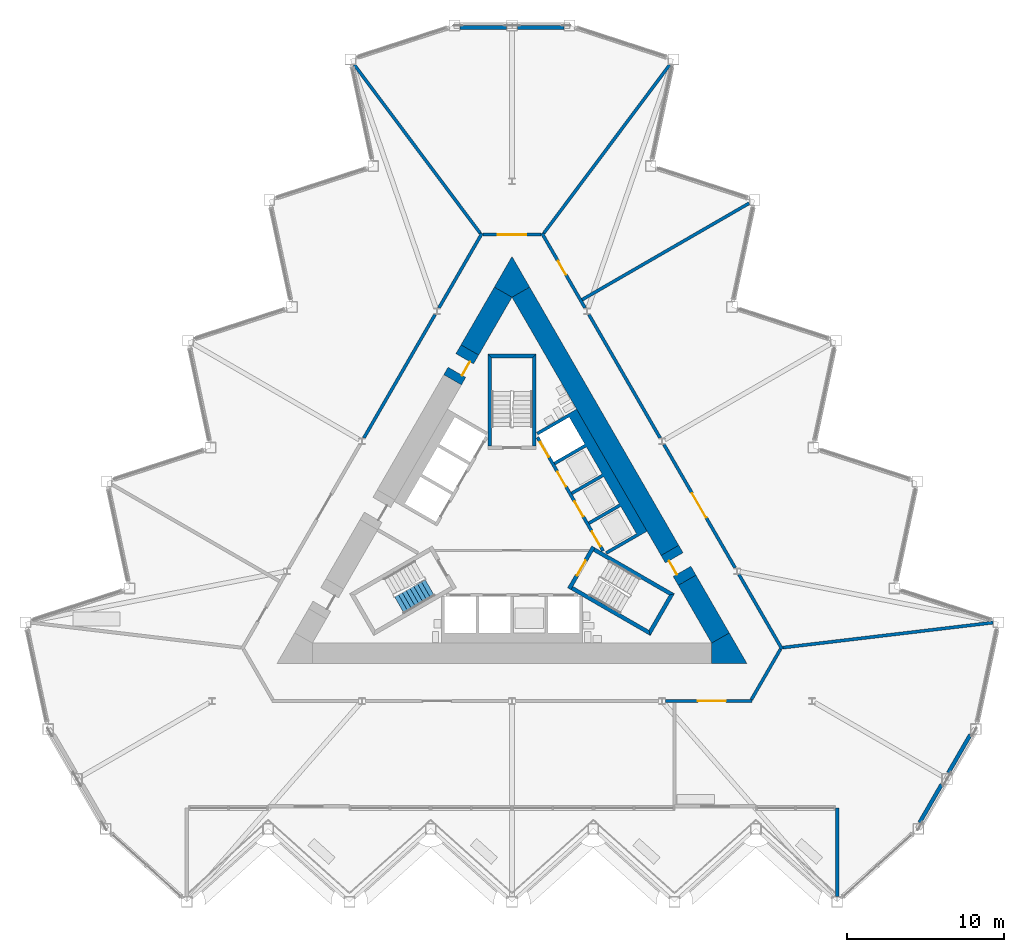
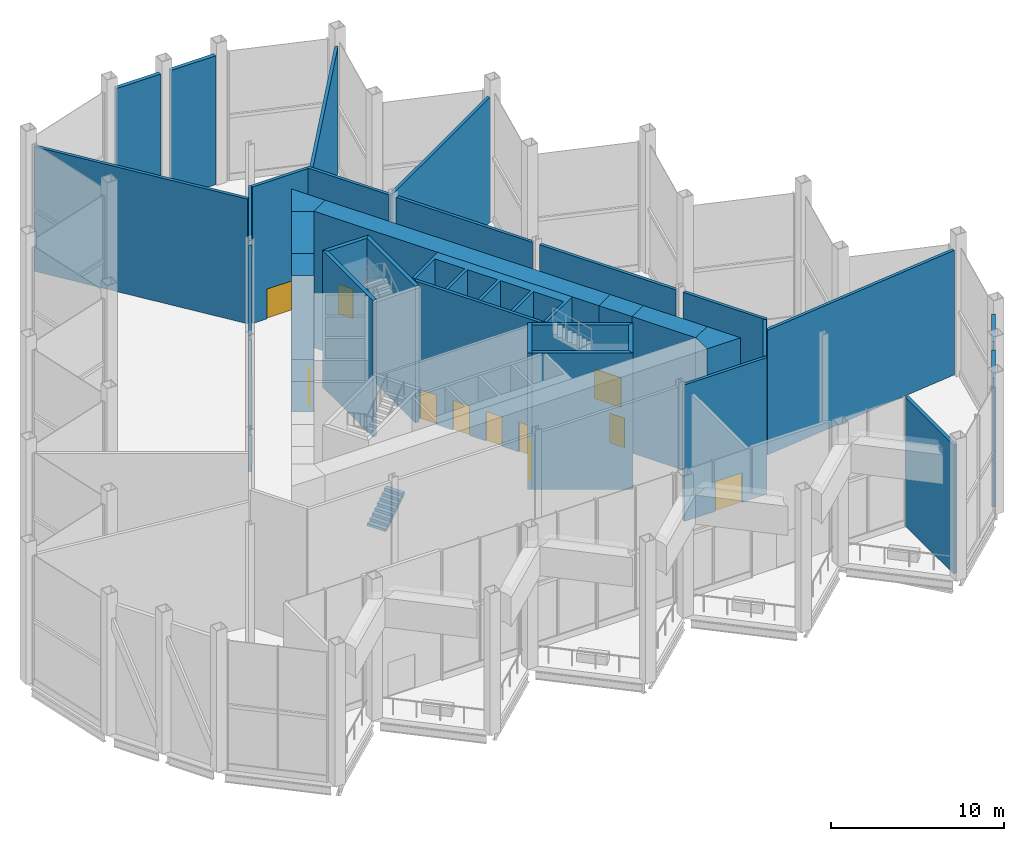
# One storey, part 10 of 17: 34 walls, 11 doors, 1 stair flight, 11 openings, 1 element without a shape of its own.
"""IFC4 building model written with IfcOpenShell, lengths in metres."""

from ifc_helpers import new_model, si_unit, direction, frame, frame_2d, origin, place, context, subcontext, project, spatial, polyline, rectangle, outline, extrude, material, layer, layer_set, type_object, element, fill, aggregate, save


model = new_model("IFC4")

# Units and contexts
model_context = context("Model", 3, precision=1e-05, world=origin(), true_north=direction((0.0, 1.0)))
body_context = subcontext(model_context, "Body", "Model", "MODEL_VIEW")
ifc_project = project(units=[si_unit("LENGTHUNIT", "METRE"), si_unit("AREAUNIT", "SQUARE_METRE"), si_unit("VOLUMEUNIT", "CUBIC_METRE"), si_unit("PLANEANGLEUNIT", "RADIAN"), si_unit("MASSUNIT", "GRAM", prefix="KILO")], contexts=[model_context])

# Site, building, storey
site_placement = place(None, origin())
site = spatial("IfcSite", under=ifc_project, at=site_placement, CompositionType="ELEMENT")
building_placement = place(site_placement, origin())
building = spatial("IfcBuilding", under=site, at=building_placement, Name="Cormorant Prow Tower", CompositionType="ELEMENT")
storey_placement = place(building_placement, frame((0.0, 0.0, 277.800048828125)))
storey = spatial("IfcBuildingStorey", under=building, at=storey_placement, Name="L63", CompositionType="ELEMENT", Elevation=277.800048828125)

# Walls
ifc_material_1 = material(Name="Concrete 8000 psi", Category="concrete")
ifc_layer_1 = layer(ifc_material_1, 1.300048828125)
ifc_layer_set_1 = layer_set([ifc_layer_1], Name="Concrete 8000 psi")
wall_type_1 = type_object("IfcWallType", Name="Core shear wall 1300", PredefinedType="SHEAR", material=ifc_layer_set_1)
wall_1_placement = place(storey_placement, frame((10.081298828125, -1.440673828125, 0.0), z_axis=(0.0, 0.0, 1.0), x_axis=(-0.500002581376, 0.866023913421, 0.0)))
element("IfcWall", 1, at=wall_1_placement, inside=storey, type_object=wall_type_1, Name="Core wall", PredefinedType="SHEAR", context=body_context, shape_type="SweptSolid", body=[
    extrude(rectangle(XDim=19.03662109375, YDim=1.300048828125, at=frame_2d((9.518310546875, 0.0))), origin(), (0.0, 0.0, 1.0), 9.64990234375),
])
wall_2_placement = place(storey_placement, frame((13.311279296875, -7.035400390625, 0.0), z_axis=(0.0, 0.0, 1.0), x_axis=(-0.500003555838, 0.866023350811, 0.0)))
element("IfcWall", 2, at=wall_2_placement, inside=storey, type_object=wall_type_1, Name="Core wall", PredefinedType="SHEAR", context=body_context, shape_type="SweptSolid", body=[
    extrude(rectangle(XDim=4.26025390625, YDim=1.300048828125, at=frame_2d((2.130126953125, 0.0))), origin(), (0.0, 0.0, 1.0), 9.64990234375),
])
wall_3_placement = place(storey_placement, frame((-0.56298828125, 15.04541015625, 0.0), z_axis=(0.0, 0.0, 1.0), x_axis=(-0.50002837164, -0.866009022791, 0.0)))
element("IfcWall", 3, at=wall_3_placement, inside=storey, type_object=wall_type_1, Name="Core wall", PredefinedType="SHEAR", context=body_context, shape_type="SweptSolid", body=[
    extrude(rectangle(XDim=4.260009765625, YDim=1.300048828125, at=frame_2d((2.1298828125, 0.0))), origin(), (0.0, 0.0, 1.0), 9.64990234375),
])
wall_4_placement = place(storey_placement, origin())
element("IfcWall", 4, at=wall_4_placement, inside=storey, type_object=wall_type_1, Name="Core wall corner", PredefinedType="SHEAR", context=body_context, shape_type="SweptSolid", body=[
    extrude(outline(polyline([(12.748291015625, -8.660400390625), (12.748291015625, -7.3603515625), (13.874267578125, -6.710205078125), (15.0, -8.660400390625), (12.748291015625, -8.660400390625)])), origin(), (0.0, 0.0, 1.0), 9.64990234375),
])
wall_5_placement = place(storey_placement, origin())
element("IfcWall", 5, at=wall_5_placement, inside=storey, type_object=wall_type_1, Name="Core wall corner", PredefinedType="SHEAR", context=body_context, shape_type="SweptSolid", body=[
    extrude(outline(polyline([(-1.125732421875, 15.37060546875), (0.0, 17.320556640625), (1.125732421875, 15.37060546875), (0.0, 14.720458984375), (-1.125732421875, 15.37060546875)])), origin(), (0.0, 0.0, 1.0), 9.64990234375),
])

# Wall, opening, door
wall_6_placement = place(storey_placement, frame((11.18115234375, -3.345947265625, 0.0), z_axis=(0.0, 0.0, 1.0), x_axis=(-0.499946605688, 0.86605622881, 0.0)))
wall_6 = element("IfcWall", 6, at=wall_6_placement, inside=storey, type_object=wall_type_1, Name="Core wall door panel", PredefinedType="SHEAR", context=body_context, shape_type="SweptSolid", body=[
    extrude(rectangle(XDim=2.199951171875, YDim=1.300048828125, at=frame_2d((1.10009765625, 0.0))), origin(), (0.0, 0.0, 1.0), 9.64990234375),
])
opening_1_placement = place(wall_6_placement, frame((0.64990234375, 0.0, 0.0)))
opening_1 = element("IfcOpeningElement", 7, at=opening_1_placement, cuts=wall_6, Name="Opening L63-C17", PredefinedType="OPENING", context=body_context, shape_type="SweptSolid", body=[
    extrude(rectangle(XDim=1.0, YDim=2.10009765625, at=frame_2d((0.5, 1.050048828125))), frame((0.0, 0.659912109375, 0.0), z_axis=(0.0, -1.0, 0.0), x_axis=(1.0, 0.0, 0.0)), (0.0, 0.0, 1.0), 1.320068359375),
])
ifc_material_2 = material(Name="Painted steel", Category="steel")
door_type_1 = type_object("IfcDoorType", Name="Service door 1000x2100", OperationType="NOTDEFINED", PredefinedType="DOOR", material=ifc_material_2)
door_1_placement = place(opening_1_placement, origin())
door_1 = element("IfcDoor", 8, at=door_1_placement, inside=storey, type_object=door_type_1, Name="Core door, Toilets (men) L63", OperationType="SINGLE_SWING_LEFT", OverallHeight=2.10009765625, OverallWidth=1.0, PredefinedType="DOOR", context=body_context, shape_type="SweptSolid", body=[
    extrude(rectangle(XDim=1.0, YDim=2.10009765625, at=frame_2d((0.5, 1.050048828125))), frame((0.0, 0.40478515625, 0.0), z_axis=(0.0, -1.0, 0.0), x_axis=(1.0, 0.0, 0.0)), (0.0, 0.0, 1.0), 0.050048828125),
])
fill(opening_1, door_1)

wall_7_placement = place(storey_placement, frame((-2.693115234375, 11.356201171875, 0.0), z_axis=(0.0, 0.0, 1.0), x_axis=(-0.499946605688, -0.86605622881, 0.0)))
wall_7 = element("IfcWall", 9, at=wall_7_placement, inside=storey, type_object=wall_type_1, Name="Core wall door panel", PredefinedType="SHEAR", context=body_context, shape_type="SweptSolid", body=[
    extrude(rectangle(XDim=2.199951171875, YDim=1.300048828125, at=frame_2d((1.10009765625, 0.0))), origin(), (0.0, 0.0, 1.0), 9.64990234375),
])
opening_2_placement = place(wall_7_placement, frame((0.64990234375, 0.0, 0.0)))
opening_2 = element("IfcOpeningElement", 10, at=opening_2_placement, cuts=wall_7, Name="Opening L63-C18", PredefinedType="OPENING", context=body_context, shape_type="SweptSolid", body=[
    extrude(rectangle(XDim=1.0, YDim=2.10009765625, at=frame_2d((0.5, 1.050048828125))), frame((0.0, 0.659912109375, 0.0), z_axis=(0.0, -1.0, 0.0), x_axis=(1.0, 0.0, 0.0)), (0.0, 0.0, 1.0), 1.320068359375),
])
door_2_placement = place(opening_2_placement, origin())
door_2 = element("IfcDoor", 11, at=door_2_placement, inside=storey, type_object=door_type_1, Name="Core door, Toilets (women) L63", OperationType="SINGLE_SWING_LEFT", OverallHeight=2.10009765625, OverallWidth=1.0, PredefinedType="DOOR", context=body_context, shape_type="SweptSolid", body=[
    extrude(rectangle(XDim=1.0, YDim=2.10009765625, at=frame_2d((0.5, 1.050048828125))), frame((0.0, 0.40478515625, 0.0), z_axis=(0.0, -1.0, 0.0), x_axis=(1.0, 0.0, 0.0)), (0.0, 0.0, 1.0), 0.050048828125),
])
fill(opening_2, door_2)

ifc_material_3 = material(Name="Gypsum board corridor wall")
ifc_layer_2 = layer(ifc_material_3, 0.199951171875)
ifc_layer_set_2 = layer_set([ifc_layer_2], Name="Gypsum board corridor wall")
wall_type_2 = type_object("IfcWallType", Name="Corridor wall 200", PredefinedType="PARTITIONING", material=ifc_layer_set_2)
wall_8_placement = place(storey_placement, frame((9.699462890625, 5.320556640625, 0.0), z_axis=(0.0, 0.0, 1.0), x_axis=(0.49998193945, -0.866035830797, 0.0)))
wall_8 = element("IfcWall", 12, at=wall_8_placement, inside=storey, type_object=wall_type_2, Name="Corridor wall", PredefinedType="PARTITIONING", context=body_context, shape_type="SweptSolid", body=[
    extrude(rectangle(XDim=9.094482421875, YDim=0.199951171875, at=frame_2d((4.54736328125, 0.0))), origin(), (0.0, 0.0, 1.0), 9.64990234375),
])
opening_3_placement = place(wall_8_placement, frame((3.5966796875, 0.0, 0.0)))
opening_3 = element("IfcOpeningElement", 13, at=opening_3_placement, cuts=wall_8, Name="Opening L63-F02", PredefinedType="OPENING", context=body_context, shape_type="SweptSolid", body=[
    extrude(rectangle(XDim=1.800048828125, YDim=2.10009765625, at=frame_2d((0.89990234375, 1.050048828125))), frame((0.0, 0.10986328125, 0.0), z_axis=(0.0, -1.0, 0.0), x_axis=(1.0, 0.0, 0.0)), (0.0, 0.0, 1.0), 0.219970703125),
])
ifc_material_4 = material(Name="Timber door leaf", Category="wood")
door_type_2 = type_object("IfcDoorType", Name="Double door 1800x2100", OperationType="DOUBLE_DOOR_SINGLE_SWING", PredefinedType="DOOR", material=ifc_material_4)
door_3_placement = place(opening_3_placement, origin())
door_3 = element("IfcDoor", 14, at=door_3_placement, inside=storey, type_object=door_type_2, Name="Business centre door", OperationType="DOUBLE_DOOR_SINGLE_SWING", OverallHeight=2.10009765625, OverallWidth=1.800048828125, PredefinedType="DOOR", context=body_context, shape_type="SweptSolid", body=[
    extrude(rectangle(XDim=1.800048828125, YDim=2.10009765625, at=frame_2d((0.89990234375, 1.050048828125))), frame((0.0, 0.02490234375, 0.0), z_axis=(0.0, -1.0, 0.0), x_axis=(1.0, 0.0, 0.0)), (0.0, 0.0, 1.0), 0.050048828125),
])
fill(opening_3, door_3)

# Walls
for number, where, z_axis, x_axis, name in (
    (15, (4.91015625, 13.61572265625, 0.0), (0.0, 0.0, 1.0), (0.50000207303, -0.866024206917, 0.0), "Corridor wall"),
    (16, (-9.45751953125, 5.739501953125, 0.0), (0.0, 0.0, 1.0), (0.50000207303, 0.866024206917, 0.0), "Corridor wall"),
):
    element("IfcWall", number, at=place(storey_placement, frame(where, z_axis=z_axis, x_axis=x_axis)), inside=storey, type_object=wall_type_2, Name=name, PredefinedType="PARTITIONING", context=body_context, shape_type="SweptSolid", body=[
        extrude(rectangle(XDim=9.0947265625, YDim=0.199951171875, at=frame_2d((4.54736328125, 0.0))), origin(), (0.0, 0.0, 1.0), 9.64990234375),
    ])

# Wall, opening, door
wall_9_placement = place(storey_placement, frame((9.7880859375, -11.060302734375, 0.0), z_axis=(0.0, 0.0, 1.0), x_axis=(1.0, 0.0, 0.0)))
wall_9 = element("IfcWall", 17, at=wall_9_placement, inside=storey, type_object=wall_type_2, Name="Corridor wall", PredefinedType="PARTITIONING", context=body_context, shape_type="SweptSolid", body=[
    extrude(rectangle(XDim=5.542724609375, YDim=0.199951171875, at=frame_2d((2.771484375, 0.0))), origin(), (0.0, 0.0, 1.0), 9.64990234375),
])
opening_4_placement = place(wall_9_placement, frame((2.07421875, 0.0, 0.0)))
opening_4 = element("IfcOpeningElement", 18, at=opening_4_placement, cuts=wall_9, Name="Opening L63-F01", PredefinedType="OPENING", context=body_context, shape_type="SweptSolid", body=[
    extrude(rectangle(XDim=1.800048828125, YDim=2.10009765625, at=frame_2d((0.89990234375, 1.050048828125))), frame((0.0, 0.10986328125, 0.0), z_axis=(0.0, -1.0, 0.0), x_axis=(1.0, 0.0, 0.0)), (0.0, 0.0, 1.0), 0.219970703125),
])
door_4_placement = place(opening_4_placement, origin())
door_4 = element("IfcDoor", 19, at=door_4_placement, inside=storey, type_object=door_type_2, Name="Kitchen door", OperationType="DOUBLE_DOOR_SINGLE_SWING", OverallHeight=2.10009765625, OverallWidth=1.800048828125, PredefinedType="DOOR", context=body_context, shape_type="SweptSolid", body=[
    extrude(rectangle(XDim=1.800048828125, YDim=2.10009765625, at=frame_2d((0.89990234375, 1.050048828125))), frame((0.0, 0.02490234375, 0.0), z_axis=(0.0, -1.0, 0.0), x_axis=(1.0, 0.0, 0.0)), (0.0, 0.0, 1.0), 0.050048828125),
])
fill(opening_4, door_4)

# Wall
wall_10_placement = place(storey_placement, frame((-4.668212890625, 14.034912109375, 0.0), z_axis=(0.0, 0.0, 1.0), x_axis=(0.499984524817, 0.866034338201, 0.0)))
element("IfcWall", 20, at=wall_10_placement, inside=storey, type_object=wall_type_2, Name="Corridor wall", PredefinedType="PARTITIONING", context=body_context, shape_type="SweptSolid", body=[
    extrude(rectangle(XDim=5.510498046875, YDim=0.199951171875, at=frame_2d((2.75537109375, 0.0))), origin(), (0.0, 0.0, 1.0), 9.64990234375),
])

# Wall, opening, door
wall_11_placement = place(storey_placement, frame((1.9130859375, 18.80712890625, 0.0), z_axis=(0.0, 0.0, 1.0), x_axis=(0.499984524817, -0.866034338201, 0.0)))
wall_11 = element("IfcWall", 21, at=wall_11_placement, inside=storey, type_object=wall_type_2, Name="Corridor wall", PredefinedType="PARTITIONING", context=body_context, shape_type="SweptSolid", body=[
    extrude(rectangle(XDim=5.510498046875, YDim=0.199951171875, at=frame_2d((2.75537109375, 0.0))), origin(), (0.0, 0.0, 1.0), 9.64990234375),
])
opening_5_placement = place(wall_11_placement, frame((2.0546875, 0.0, 0.0)))
opening_5 = element("IfcOpeningElement", 22, at=opening_5_placement, cuts=wall_11, Name="Opening L63-F03", PredefinedType="OPENING", context=body_context, shape_type="SweptSolid", body=[
    extrude(rectangle(XDim=1.0, YDim=2.10009765625, at=frame_2d((0.5, 1.050048828125))), frame((0.0, 0.10986328125, 0.0), z_axis=(0.0, -1.0, 0.0), x_axis=(1.0, 0.0, 0.0)), (0.0, 0.0, 1.0), 0.219970703125),
])
ifc_material_5 = material(Name="Timber door leaf", Category="wood")
door_type_3 = type_object("IfcDoorType", Name="Flat or room entrance door 1000x2100", OperationType="NOTDEFINED", PredefinedType="DOOR", material=ifc_material_5)
door_5_placement = place(opening_5_placement, origin())
door_5 = element("IfcDoor", 23, at=door_5_placement, inside=storey, type_object=door_type_3, Name="Refuge area door", OperationType="SINGLE_SWING_LEFT", OverallHeight=2.10009765625, OverallWidth=1.0, PredefinedType="DOOR", context=body_context, shape_type="SweptSolid", body=[
    extrude(rectangle(XDim=1.0, YDim=2.10009765625, at=frame_2d((0.5, 1.050048828125))), frame((0.0, 0.02490234375, 0.0), z_axis=(0.0, -1.0, 0.0), x_axis=(1.0, 0.0, 0.0)), (0.0, 0.0, 1.0), 0.050048828125),
])
fill(opening_5, door_5)

# Wall
wall_12_placement = place(storey_placement, frame((14.488525390625, -2.974609375, 0.0), z_axis=(0.0, 0.0, 1.0), x_axis=(0.500017753321, -0.866015153657, 0.0)))
element("IfcWall", 24, at=wall_12_placement, inside=storey, type_object=wall_type_2, Name="Corridor wall", PredefinedType="PARTITIONING", context=body_context, shape_type="SweptSolid", body=[
    extrude(rectangle(XDim=5.510498046875, YDim=0.199951171875, at=frame_2d((2.75537109375, 0.0))), origin(), (0.0, 0.0, 1.0), 9.64990234375),
])

# Wall, opening, door
wall_13_placement = place(storey_placement, frame((-1.863037109375, 18.720458984375, 0.0), z_axis=(0.0, 0.0, 1.0), x_axis=(1.0, 0.0, 0.0)))
wall_13 = element("IfcWall", 25, at=wall_13_placement, inside=storey, type_object=wall_type_2, Name="Corridor wall", PredefinedType="PARTITIONING", context=body_context, shape_type="SweptSolid", body=[
    extrude(rectangle(XDim=3.72607421875, YDim=0.199951171875, at=frame_2d((1.863037109375, 0.0))), origin(), (0.0, 0.0, 1.0), 9.64990234375),
])
opening_6_placement = place(wall_13_placement, frame((0.962890625, 0.0, 0.0)))
opening_6 = element("IfcOpeningElement", 26, at=opening_6_placement, cuts=wall_13, Name="Opening L63-F04", PredefinedType="OPENING", context=body_context, shape_type="SweptSolid", body=[
    extrude(rectangle(XDim=1.800048828125, YDim=2.10009765625, at=frame_2d((0.89990234375, 1.050048828125))), frame((0.0, 0.10986328125, 0.0), z_axis=(0.0, -1.0, 0.0), x_axis=(1.0, 0.0, 0.0)), (0.0, 0.0, 1.0), 0.219970703125),
])
door_6_placement = place(opening_6_placement, origin())
door_6 = element("IfcDoor", 27, at=door_6_placement, inside=storey, type_object=door_type_2, Name="Dining room door", OperationType="DOUBLE_DOOR_SINGLE_SWING", OverallHeight=2.10009765625, OverallWidth=1.800048828125, PredefinedType="DOOR", context=body_context, shape_type="SweptSolid", body=[
    extrude(rectangle(XDim=1.800048828125, YDim=2.10009765625, at=frame_2d((0.89990234375, 1.050048828125))), frame((0.0, 0.02490234375, 0.0), z_axis=(0.0, -1.0, 0.0), x_axis=(1.0, 0.0, 0.0)), (0.0, 0.0, 1.0), 0.050048828125),
])
fill(opening_6, door_6)

# Walls
wall_14_placement = place(storey_placement, frame((15.281005859375, -10.9736328125, 0.0), z_axis=(0.0, 0.0, 1.0), x_axis=(0.499958791762, 0.866049194065, 0.0)))
element("IfcWall", 28, at=wall_14_placement, inside=storey, type_object=wall_type_2, Name="Corridor wall", PredefinedType="PARTITIONING", context=body_context, shape_type="SweptSolid", body=[
    extrude(rectangle(XDim=3.725830078125, YDim=0.199951171875, at=frame_2d((1.86279296875, 0.0))), origin(), (0.0, 0.0, 1.0), 9.64990234375),
])
ifc_material_6 = material(Name="Gypsum board demising wall")
ifc_layer_3 = layer(ifc_material_6, 0.199951171875)
ifc_layer_set_3 = layer_set([ifc_layer_3], Name="Gypsum board demising wall")
wall_type_3 = type_object("IfcWallType", Name="Demising wall 200", PredefinedType="PARTITIONING", material=ifc_layer_set_3)
wall_15_placement = place(storey_placement, frame((17.293212890625, -7.6484375, 0.0), z_axis=(0.0, 0.0, 1.0), x_axis=(0.992988122615, 0.118214163049, 0.0)))
element("IfcWall", 29, at=wall_15_placement, inside=storey, type_object=wall_type_3, Name="Demising wall", PredefinedType="PARTITIONING", context=body_context, shape_type="SweptSolid", body=[
    extrude(rectangle(XDim=13.504638671875, YDim=0.199951171875, at=frame_2d((6.75244140625, 0.0))), origin(), (0.0, 0.0, 1.0), 8.80419921875),
])
for number, where, z_axis, x_axis, name in (
    (30, (2.02294921875, 18.800537109375, 0.0), (0.0, 0.0, 1.0), (0.598865038135, 0.800849964787, 0.0), "Demising wall"),
    (31, (-10.065673828125, 29.555908203125, 0.0), (0.0, 0.0, 1.0), (0.598865038135, -0.800849964787, 0.0), "Demising wall"),
):
    element("IfcWall", number, at=place(storey_placement, frame(where, z_axis=z_axis, x_axis=x_axis)), inside=storey, type_object=wall_type_3, Name=name, PredefinedType="PARTITIONING", context=body_context, shape_type="SweptSolid", body=[
        extrude(rectangle(XDim=13.429931640625, YDim=0.199951171875, at=frame_2d((6.71484375, 0.0))), origin(), (0.0, 0.0, 1.0), 8.80419921875),
    ])
wall_16_placement = place(storey_placement, frame((4.476806640625, 14.56640625, 0.0), z_axis=(0.0, 0.0, 1.0), x_axis=(0.866024427045, 0.500001691758, 0.0)))
element("IfcWall", 32, at=wall_16_placement, inside=storey, type_object=wall_type_3, Name="Demising wall", PredefinedType="PARTITIONING", context=body_context, shape_type="SweptSolid", body=[
    extrude(rectangle(XDim=12.31103515625, YDim=0.199951171875, at=frame_2d((6.155517578125, 0.0))), origin(), (0.0, 0.0, 1.0), 8.80419921875),
])

# Wall, openings, doors
ifc_material_7 = material(Name="Concrete 5000 psi", Category="concrete")
ifc_layer_4 = layer(ifc_material_7, 0.199951171875)
ifc_layer_set_4 = layer_set([ifc_layer_4], Name="Concrete 5000 psi")
wall_type_4 = type_object("IfcWallType", Name="Lift lobby wall 200", PredefinedType="SOLIDWALL", material=ifc_layer_set_4)
wall_17_placement = place(storey_placement, frame((5.817138671875, -1.4755859375, 0.0), z_axis=(0.0, 0.0, 1.0), x_axis=(-0.500002616675, 0.866023893041, 0.0)))
wall_17 = element("IfcWall", 33, at=wall_17_placement, inside=storey, type_object=wall_type_4, Name="Lift lobby wall, ENE block", PredefinedType="SOLIDWALL", context=body_context, shape_type="SweptSolid", body=[
    extrude(rectangle(XDim=8.373046875, YDim=0.199951171875, at=frame_2d((4.1865234375, 0.0))), origin(), (0.0, 0.0, 1.0), 9.64990234375),
])
opening_7_placement = place(wall_17_placement, frame((0.336669921875, 0.0, 0.0)))
opening_7 = element("IfcOpeningElement", 34, at=opening_7_placement, cuts=wall_17, Name="Opening L63-C05", PredefinedType="OPENING", context=body_context, shape_type="SweptSolid", body=[
    extrude(rectangle(XDim=1.10009765625, YDim=2.10009765625, at=frame_2d((0.550048828125, 1.050048828125))), frame((0.0, 0.10986328125, 0.0), z_axis=(0.0, -1.0, 0.0), x_axis=(1.0, 0.0, 0.0)), (0.0, 0.0, 1.0), 0.219970703125),
])
opening_8_placement = place(wall_17_placement, frame((2.53662109375, 0.0, 0.0)))
opening_8 = element("IfcOpeningElement", 35, at=opening_8_placement, cuts=wall_17, Name="Opening L63-C06", PredefinedType="OPENING", context=body_context, shape_type="SweptSolid", body=[
    extrude(rectangle(XDim=1.10009765625, YDim=2.10009765625, at=frame_2d((0.550048828125, 1.050048828125))), frame((0.0, 0.10986328125, 0.0), z_axis=(0.0, -1.0, 0.0), x_axis=(1.0, 0.0, 0.0)), (0.0, 0.0, 1.0), 0.219970703125),
])
opening_9_placement = place(wall_17_placement, frame((4.736572265625, 0.0, 0.0)))
opening_9 = element("IfcOpeningElement", 36, at=opening_9_placement, cuts=wall_17, Name="Opening L63-C07", PredefinedType="OPENING", context=body_context, shape_type="SweptSolid", body=[
    extrude(rectangle(XDim=1.10009765625, YDim=2.10009765625, at=frame_2d((0.550048828125, 1.050048828125))), frame((0.0, 0.10986328125, 0.0), z_axis=(0.0, -1.0, 0.0), x_axis=(1.0, 0.0, 0.0)), (0.0, 0.0, 1.0), 0.219970703125),
])
opening_10_placement = place(wall_17_placement, frame((6.9365234375, 0.0, 0.0)))
opening_10 = element("IfcOpeningElement", 37, at=opening_10_placement, cuts=wall_17, Name="Opening L63-C08", PredefinedType="OPENING", context=body_context, shape_type="SweptSolid", body=[
    extrude(rectangle(XDim=1.10009765625, YDim=2.10009765625, at=frame_2d((0.550048828125, 1.050048828125))), frame((0.0, 0.10986328125, 0.0), z_axis=(0.0, -1.0, 0.0), x_axis=(1.0, 0.0, 0.0)), (0.0, 0.0, 1.0), 0.219970703125),
])
ifc_material_8 = material(Name="Painted steel", Category="steel")
door_type_4 = type_object("IfcDoorType", Name="Lift landing door 1100x2100", OperationType="SLIDING_TO_LEFT", PredefinedType="DOOR", material=ifc_material_8)
door_7_placement = place(opening_7_placement, origin())
door_7 = element("IfcDoor", 38, at=door_7_placement, inside=storey, type_object=door_type_4, Name="Landing door HR2", OperationType="SLIDING_TO_LEFT", OverallHeight=2.10009765625, OverallWidth=1.10009765625, PredefinedType="DOOR", context=body_context, shape_type="SweptSolid", body=[
    extrude(rectangle(XDim=1.10009765625, YDim=2.10009765625, at=frame_2d((0.550048828125, 1.050048828125))), frame((0.0, 0.02490234375, 0.0), z_axis=(0.0, -1.0, 0.0), x_axis=(1.0, 0.0, 0.0)), (0.0, 0.0, 1.0), 0.050048828125),
])
fill(opening_7, door_7)
door_8_placement = place(opening_8_placement, origin())
door_8 = element("IfcDoor", 39, at=door_8_placement, inside=storey, type_object=door_type_4, Name="Landing door HR3", OperationType="SLIDING_TO_LEFT", OverallHeight=2.10009765625, OverallWidth=1.10009765625, PredefinedType="DOOR", context=body_context, shape_type="SweptSolid", body=[
    extrude(rectangle(XDim=1.10009765625, YDim=2.10009765625, at=frame_2d((0.550048828125, 1.050048828125))), frame((0.0, 0.02490234375, 0.0), z_axis=(0.0, -1.0, 0.0), x_axis=(1.0, 0.0, 0.0)), (0.0, 0.0, 1.0), 0.050048828125),
])
fill(opening_8, door_8)
door_9_placement = place(opening_9_placement, origin())
door_9 = element("IfcDoor", 40, at=door_9_placement, inside=storey, type_object=door_type_4, Name="Landing door HR4", OperationType="SLIDING_TO_LEFT", OverallHeight=2.10009765625, OverallWidth=1.10009765625, PredefinedType="DOOR", context=body_context, shape_type="SweptSolid", body=[
    extrude(rectangle(XDim=1.10009765625, YDim=2.10009765625, at=frame_2d((0.550048828125, 1.050048828125))), frame((0.0, 0.02490234375, 0.0), z_axis=(0.0, -1.0, 0.0), x_axis=(1.0, 0.0, 0.0)), (0.0, 0.0, 1.0), 0.050048828125),
])
fill(opening_9, door_9)
door_10_placement = place(opening_10_placement, origin())
door_10 = element("IfcDoor", 41, at=door_10_placement, inside=storey, type_object=door_type_4, Name="Landing door MR1", OperationType="SLIDING_TO_LEFT", OverallHeight=2.10009765625, OverallWidth=1.10009765625, PredefinedType="DOOR", context=body_context, shape_type="SweptSolid", body=[
    extrude(rectangle(XDim=1.10009765625, YDim=2.10009765625, at=frame_2d((0.550048828125, 1.050048828125))), frame((0.0, 0.02490234375, 0.0), z_axis=(0.0, -1.0, 0.0), x_axis=(1.0, 0.0, 0.0)), (0.0, 0.0, 1.0), 0.050048828125),
])
fill(opening_10, door_10)

# Walls
ifc_material_9 = material(Name="Concrete 8000 psi", Category="concrete")
ifc_layer_5 = layer(ifc_material_9, 0.199951171875)
ifc_layer_set_5 = layer_set([ifc_layer_5], Name="Concrete 8000 psi")
wall_type_5 = type_object("IfcWallType", Name="Lift shaft wall 200", PredefinedType="SHEAR", material=ifc_layer_set_5)
wall_18_placement = place(storey_placement, origin())
element("IfcWall", 42, at=wall_18_placement, inside=storey, type_object=wall_type_5, Name="Lift shaft walls, ENE block", PredefinedType="SHEAR", context=body_context, shape_type="SweptSolid", body=[
    extrude(outline(polyline([(4.124267578125, 7.5771484375), (8.624267578125, -0.217041015625), (8.230712890625, -0.444091796875), (6.060546875, -1.697021484375), (5.96044921875, -1.52392578125), (7.952392578125, -0.373779296875), (6.952392578125, 1.358154296875), (4.96044921875, 0.2080078125), (4.860595703125, 0.38134765625), (6.852294921875, 1.53125), (5.852294921875, 3.263427734375), (3.860595703125, 2.11328125), (3.760498046875, 2.28662109375), (5.75244140625, 3.4365234375), (4.75244140625, 5.168701171875), (2.760498046875, 4.018798828125), (2.660400390625, 4.19189453125), (4.65234375, 5.341796875), (3.65234375, 7.073974609375), (1.660400390625, 5.923828125), (1.560546875, 6.09716796875), (3.730712890625, 7.35009765625), (4.124267578125, 7.5771484375)])), origin(), (0.0, 0.0, 1.0), 9.64990234375),
])
ifc_material_10 = material(Name="Concrete 8000 psi", Category="concrete")
ifc_layer_6 = layer(ifc_material_10, 0.25)
ifc_layer_set_6 = layer_set([ifc_layer_6], Name="Concrete 8000 psi")
wall_type_6 = type_object("IfcWallType", Name="Stair wall 250", PredefinedType="SHEAR", material=ifc_layer_set_6)
wall_19_placement = place(storey_placement, origin())
element("IfcWall", 43, at=wall_19_placement, inside=storey, type_object=wall_type_6, Name="Stair ST2 enclosure wall (flank)", PredefinedType="SHEAR", context=body_context, shape_type="SweptSolid", body=[
    extrude(outline(polyline([(3.76318359375, -3.95556640625), (8.82958984375, -6.880615234375), (8.738037109375, -6.5390625), (3.88818359375, -3.739013671875), (3.76318359375, -3.95556640625)])), origin(), (0.0, 0.0, 1.0), 9.64990234375),
])
wall_20_placement = place(storey_placement, origin())
element("IfcWall", 44, at=wall_20_placement, inside=storey, type_object=wall_type_6, Name="Stair ST2 enclosure wall (end)", PredefinedType="SHEAR", context=body_context, shape_type="SweptSolid", body=[
    extrude(outline(polyline([(8.82958984375, -6.880615234375), (10.37353515625, -4.206298828125), (10.031982421875, -4.2978515625), (8.738037109375, -6.5390625), (8.82958984375, -6.880615234375)])), origin(), (0.0, 0.0, 1.0), 9.64990234375),
])
wall_21_placement = place(storey_placement, origin())
element("IfcWall", 45, at=wall_21_placement, inside=storey, type_object=wall_type_6, Name="Stair ST2 enclosure wall (flank)", PredefinedType="SHEAR", context=body_context, shape_type="SweptSolid", body=[
    extrude(outline(polyline([(10.031982421875, -4.2978515625), (10.37353515625, -4.206298828125), (5.30712890625, -1.28125), (5.18212890625, -1.497802734375), (10.031982421875, -4.2978515625)])), origin(), (0.0, 0.0, 1.0), 9.64990234375),
])

# Wall, opening, door
wall_22_placement = place(storey_placement, frame((3.655029296875, -3.89306640625, 0.0), z_axis=(0.0, 0.0, 1.0), x_axis=(0.499982516597, 0.866035497597, 0.0)))
wall_22 = element("IfcWall", 46, at=wall_22_placement, inside=storey, type_object=wall_type_6, Name="Stair ST2 door wall", PredefinedType="SHEAR", context=body_context, shape_type="SweptSolid", body=[
    extrude(rectangle(XDim=3.087890625, YDim=0.25, at=frame_2d((1.5439453125, 0.0))), origin(), (0.0, 0.0, 1.0), 9.64990234375),
])
opening_11_placement = place(wall_22_placement, frame((0.993896484375, 0.0, 0.0)))
opening_11 = element("IfcOpeningElement", 47, at=opening_11_placement, cuts=wall_22, Name="Opening L63-C14", PredefinedType="OPENING", context=body_context, shape_type="SweptSolid", body=[
    extrude(rectangle(XDim=1.10009765625, YDim=2.10009765625, at=frame_2d((0.550048828125, 1.050048828125))), frame((0.0, 0.135009765625, 0.0), z_axis=(0.0, -1.0, 0.0), x_axis=(1.0, 0.0, 0.0)), (0.0, 0.0, 1.0), 0.27001953125),
])
ifc_material_11 = material(Name="Painted steel", Category="steel")
door_type_5 = type_object("IfcDoorType", Name="Stair door 1100x2100", OperationType="NOTDEFINED", PredefinedType="DOOR", material=ifc_material_11)
door_11_placement = place(opening_11_placement, origin())
door_11 = element("IfcDoor", 48, at=door_11_placement, inside=storey, type_object=door_type_5, Name="Stair ST2 door", OperationType="SINGLE_SWING_RIGHT", OverallHeight=2.10009765625, OverallWidth=1.10009765625, PredefinedType="DOOR", context=body_context, shape_type="SweptSolid", body=[
    extrude(rectangle(XDim=1.10009765625, YDim=2.10009765625, at=frame_2d((0.550048828125, 1.050048828125))), frame((0.0, 0.02490234375, 0.0), z_axis=(0.0, -1.0, 0.0), x_axis=(1.0, 0.0, 0.0)), (0.0, 0.0, 1.0), 0.050048828125),
])
fill(opening_11, door_11)

# Walls
wall_23_placement = place(storey_placement, origin())
element("IfcWall", 49, at=wall_23_placement, inside=storey, type_object=wall_type_6, Name="Stair ST3 enclosure wall (flank)", PredefinedType="SHEAR", context=body_context, shape_type="SweptSolid", body=[
    extrude(outline(polyline([(1.5439453125, 5.23681640625), (1.5439453125, 11.0869140625), (1.2939453125, 10.8369140625), (1.2939453125, 5.23681640625), (1.5439453125, 5.23681640625)])), origin(), (0.0, 0.0, 1.0), 9.64990234375),
])
wall_24_placement = place(storey_placement, origin())
element("IfcWall", 50, at=wall_24_placement, inside=storey, type_object=wall_type_6, Name="Stair ST3 enclosure wall (end)", PredefinedType="SHEAR", context=body_context, shape_type="SweptSolid", body=[
    extrude(outline(polyline([(1.5439453125, 11.0869140625), (-1.5439453125, 11.0869140625), (-1.2939453125, 10.8369140625), (1.2939453125, 10.8369140625), (1.5439453125, 11.0869140625)])), origin(), (0.0, 0.0, 1.0), 9.64990234375),
])
wall_25_placement = place(storey_placement, origin())
element("IfcWall", 51, at=wall_25_placement, inside=storey, type_object=wall_type_6, Name="Stair ST3 enclosure wall (flank)", PredefinedType="SHEAR", context=body_context, shape_type="SweptSolid", body=[
    extrude(outline(polyline([(-1.2939453125, 10.8369140625), (-1.5439453125, 11.0869140625), (-1.5439453125, 5.23681640625), (-1.2939453125, 5.23681640625), (-1.2939453125, 10.8369140625)])), origin(), (0.0, 0.0, 1.0), 9.64990234375),
])
ifc_material_12 = material(Name="Terracotta", Category="masonry")
ifc_layer_7 = layer(ifc_material_12, 0.25)
ifc_layer_set_7 = layer_set([ifc_layer_7], Name="Terracotta")
wall_type_7 = type_object("IfcWallType", Name="Terracotta bay wall 250", PredefinedType="SOLIDWALL", material=ifc_layer_set_7)
for number, where, z_axis, x_axis, name in (
    (52, (26.02783203125, -18.8154296875, 0.0), (0.0, 0.0, 1.0), (0.499968627931, 0.866043515699, 0.0), "Terracotta bay wall ESE00"),
    (53, (27.863037109375, -15.63671875, 0.0), (0.0, 0.0, 1.0), (0.499968627931, 0.866043515699, 0.0), "Terracotta bay wall ESE01"),
):
    element("IfcWall", number, at=place(storey_placement, frame(where, z_axis=z_axis, x_axis=x_axis)), inside=storey, type_object=wall_type_7, Name=name, PredefinedType="SOLIDWALL", context=body_context, shape_type="SweptSolid", body=[
        extrude(rectangle(XDim=2.804443359375, YDim=0.25, at=frame_2d((1.40234375, 0.0))), origin(), (0.0, 0.0, 1.0), 9.100830078125),
    ])
for number, where, z_axis, x_axis, name in (
    (54, (3.3203125, 31.948486328125, 0.0), (0.0, 0.0, 1.0), (-1.0, 0.0, 0.0), "Terracotta bay wall N00"),
    (55, (-0.35009765625, 31.948486328125, 0.0), (0.0, 0.0, 1.0), (-1.0, 0.0, 0.0), "Terracotta bay wall N01"),
):
    element("IfcWall", number, at=place(storey_placement, frame(where, z_axis=z_axis, x_axis=x_axis)), inside=storey, type_object=wall_type_7, Name=name, PredefinedType="SOLIDWALL", context=body_context, shape_type="SweptSolid", body=[
        extrude(rectangle(XDim=2.97021484375, YDim=0.25, at=frame_2d((1.485107421875, 0.0))), origin(), (0.0, 0.0, 1.0), 9.100830078125),
    ])
ifc_material_13 = material(Name="Terracotta", Category="masonry")
ifc_layer_8 = layer(ifc_material_13, 0.219970703125)
ifc_layer_set_8 = layer_set([ifc_layer_8], Name="Terracotta")
wall_type_8 = type_object("IfcWallType", Name="Terracotta loggia wall 220", PredefinedType="SOLIDWALL", material=ifc_layer_set_8)
wall_26_placement = place(storey_placement, frame((20.7529296875, -23.536865234375, 0.0), z_axis=(0.0, 0.0, 1.0), x_axis=(0.0, 1.0, 0.0)))
element("IfcWall", 56, at=wall_26_placement, inside=storey, type_object=wall_type_8, Name="Terracotta loggia return S east", PredefinedType="SOLIDWALL", context=body_context, shape_type="SweptSolid", body=[
    extrude(rectangle(XDim=5.64990234375, YDim=0.219970703125, at=frame_2d((2.824951171875, 0.0))), origin(), (0.0, 0.0, 1.0), 9.100830078125),
])

# Stair, stair flight
ifc_material_14 = material(Name="Exit stair 54 risers")
stair_type = type_object("IfcStairType", Name="Exit stair 54 risers", PredefinedType="HALF_TURN_STAIR", material=ifc_material_14)
stair_placement = place(storey_placement, origin())
stair = element("IfcStair", 57, at=stair_placement, inside=storey, type_object=stair_type, Name="L63 Exit stair ST1", PredefinedType="HALF_TURN_STAIR")
ifc_material_15 = material(Name="Concrete 5000 psi", Category="concrete")
stair_flight_type = type_object("IfcStairFlightType", Name="Stair flight 1219", PredefinedType="STRAIGHT", material=ifc_material_15)
stair_flight_placement = place(storey_placement, frame((-7.1884765625, -4.940673828125, 1.66650390625), z_axis=(0.0, 0.0, 1.0), x_axis=(0.866025403784, 0.5, 0.0)))
stair_flight = element("IfcStairFlight", 58, at=stair_flight_placement, type_object=stair_flight_type, Name="ST1 flight 2", NumberOfRisers=9, NumberOfTreads=8, PredefinedType="STRAIGHT", RiserHeight=0.185185185, TreadLength=0.28, context=body_context, shape_type="SweptSolid", body=[
    extrude(outline(polyline([(0.0, 0.0), (0.0, 0.185302734375), (0.280029296875, 0.185302734375), (0.280029296875, 0.370361328125), (0.56005859375, 0.370361328125), (0.56005859375, 0.5556640625), (0.840087890625, 0.5556640625), (0.840087890625, 0.74072265625), (1.1201171875, 0.74072265625), (1.1201171875, 0.926025390625), (1.39990234375, 0.926025390625), (1.39990234375, 1.111083984375), (1.679931640625, 1.111083984375), (1.679931640625, 1.29638671875), (1.9599609375, 1.29638671875), (1.9599609375, 1.4814453125), (2.239990234375, 1.4814453125), (2.239990234375, 1.666748046875), (2.239990234375, 1.3017578125), (0.271728515625, 0.0), (0.0, 0.0)])), frame((0.0, 0.609375, 0.0), z_axis=(0.0, -1.0, 0.0), x_axis=(1.0, 0.0, 0.0)), (0.0, 0.0, 1.0), 1.218994140625),
])
aggregate(stair, [stair_flight])

save(model, "model.ifc")
